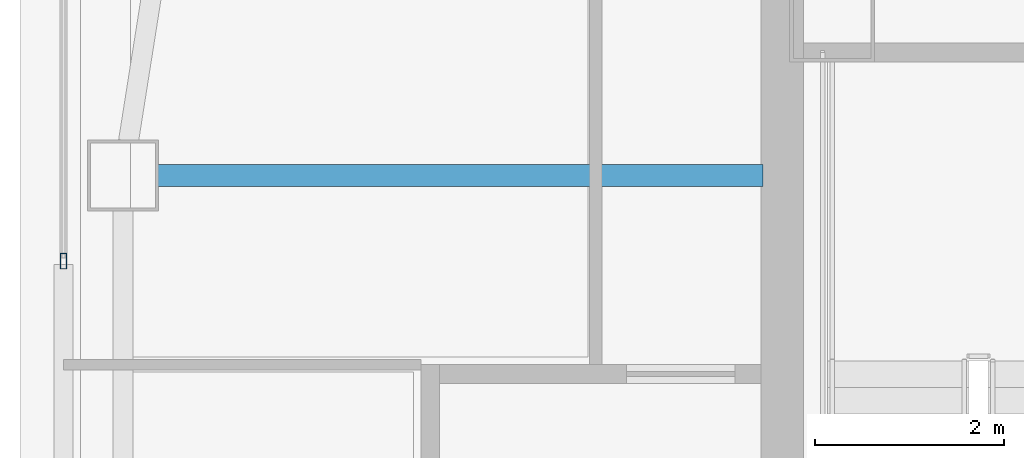
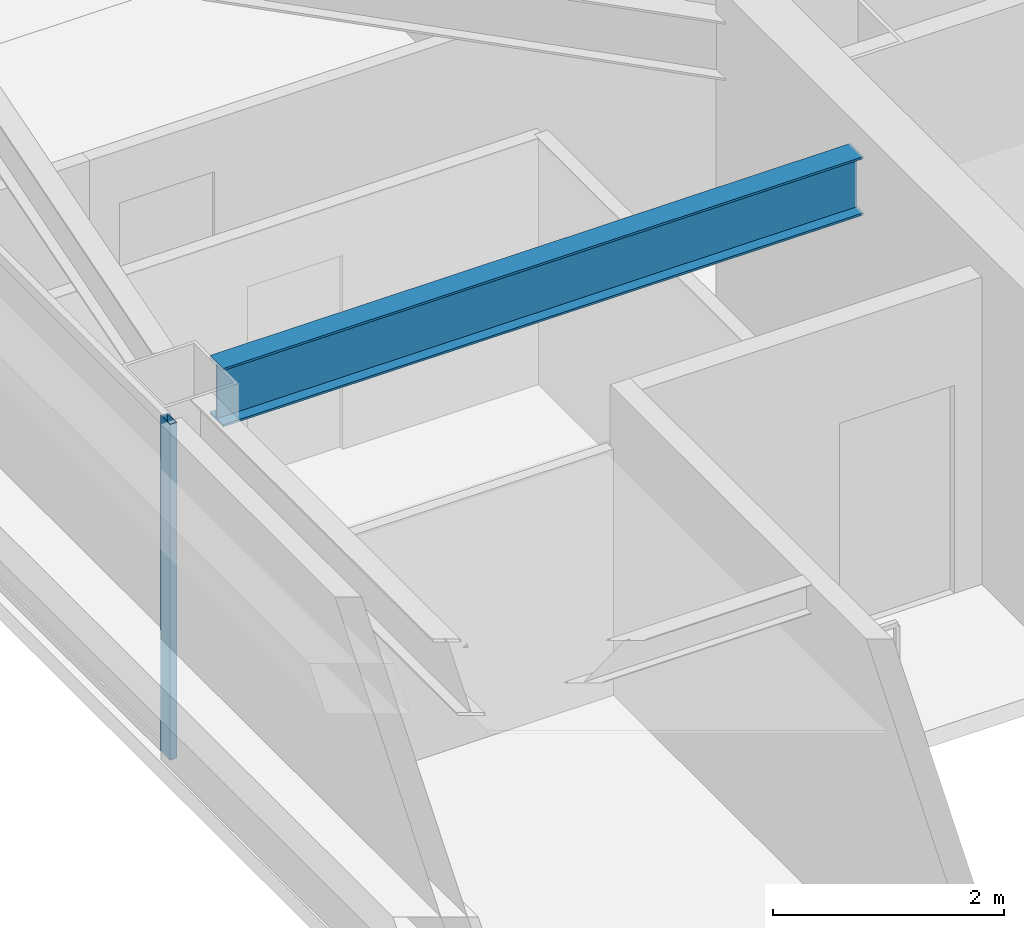
# One storey, part 8 of 18: 1 beam, 1 member, 1 element without a shape of its own.
"""IFC4 building model written with IfcOpenShell, lengths in metres."""

from ifc_helpers import new_model, si_unit, direction, frame, origin, origin_2d, place, context, subcontext, project, spatial, hollow_rectangle, i_section, extrude, material, material_profile, profile_set, type_object, element, aggregate, save


model = new_model("IFC4")

# Units and contexts
model_context = context("Model", 3, precision=1e-05, world=origin(), true_north=direction((0.0, 1.0)))
body_context = subcontext(model_context, "Body", "Model", "MODEL_VIEW")
ifc_project = project(units=[si_unit("LENGTHUNIT", "METRE"), si_unit("AREAUNIT", "SQUARE_METRE"), si_unit("VOLUMEUNIT", "CUBIC_METRE"), si_unit("PLANEANGLEUNIT", "RADIAN"), si_unit("MASSUNIT", "GRAM", prefix="KILO")], contexts=[model_context])

# Site, building, storey
site_placement = place(None, origin())
site = spatial("IfcSite", under=ifc_project, at=site_placement, CompositionType="ELEMENT")
building_placement = place(site_placement, origin())
building = spatial("IfcBuilding", under=site, at=building_placement, Name="Tashvorn Skyway Center", CompositionType="ELEMENT")
storey_placement = place(building_placement, frame((0.0, 0.0, 274.050048828125)))
storey = spatial("IfcBuildingStorey", under=building, at=storey_placement, Name="L74", CompositionType="ELEMENT", Elevation=274.050048828125)

# Beam
ifc_material_1 = material(Name="Steel ASTM A992 Grade 50", Category="steel")
ifc_material_profile_1 = material_profile(ifc_material_1, i_section(OverallWidth=0.22998046875, OverallDepth=0.616943359375, WebThickness=0.01318359375, FlangeThickness=0.022216796875, at=origin_2d()), Name="W24X94")
ifc_profile_set_1 = profile_set([ifc_material_profile_1], Name="Steel ASTM A992 Grade 50")
beam_type = type_object("IfcBeamType", Name="BM-BEAM-W24X94", PredefinedType="BEAM", material=ifc_profile_set_1)
beam_placement = place(storey_placement, frame((27.820068359375, 37.39990234375, 2.94140625), z_axis=(1.0, 0.0, 0.0), x_axis=(0.0, 1.0, 0.0)))
element("IfcBeam", 1, at=beam_placement, inside=storey, type_object=beam_type, Name="Tower 1 L74 Primary Floor Girder FC-W1", PredefinedType="BEAM", context=body_context, shape_type="SweptSolid", body=[
    extrude(i_section(OverallWidth=0.22998046875, OverallDepth=0.616943359375, WebThickness=0.01318359375, FlangeThickness=0.022216796875, at=origin_2d()), origin(), (0.0, 0.0, 1.0), 6.39990234375),
])

# Curtain wall, member
ifc_material_2 = material(Name="Thermally broken bronze-anodized aluminium 6063-T6", Category="aluminium")
curtain_wall_type = type_object("IfcCurtainWallType", Name="CW-CW-Z5", PredefinedType="NOTDEFINED", material=ifc_material_2)
curtain_wall_placement = place(storey_placement, origin())
curtain_wall = element("IfcCurtainWall", 2, at=curtain_wall_placement, inside=storey, type_object=curtain_wall_type, Name="Tower 1 L74 West Unitised Curtain Wall Glazing Group 2", PredefinedType="NOTDEFINED")
ifc_material_profile_2 = material_profile(ifc_material_2, hollow_rectangle(XDim=0.070068359375, YDim=0.1650390625, WallThickness=0.00390625, at=origin_2d()), Name="ALU-MULL-70x165")
ifc_profile_set_2 = profile_set([ifc_material_profile_2], Name="Thermally broken bronze-anodized aluminium 6063-T6")
member_type = type_object("IfcMemberType", Name="CWM-CW-Z5", PredefinedType="MULLION", material=ifc_profile_set_2)
member_placement = place(storey_placement, frame((26.820068359375, 36.4951171875, 0.0), z_axis=(0.0, 0.0, 1.0), x_axis=(-1.0, 0.0, 0.0)))
member = element("IfcMember", 3, at=member_placement, type_object=member_type, Name="CW-Z5 mullion 1", PredefinedType="MULLION", context=body_context, shape_type="SweptSolid", body=[
    extrude(hollow_rectangle(XDim=0.070068359375, YDim=0.1650390625, WallThickness=0.00390625, at=origin_2d()), origin(), (0.0, 0.0, 1.0), 3.550048828125),
])
aggregate(curtain_wall, [member])

save(model, "model.ifc")
